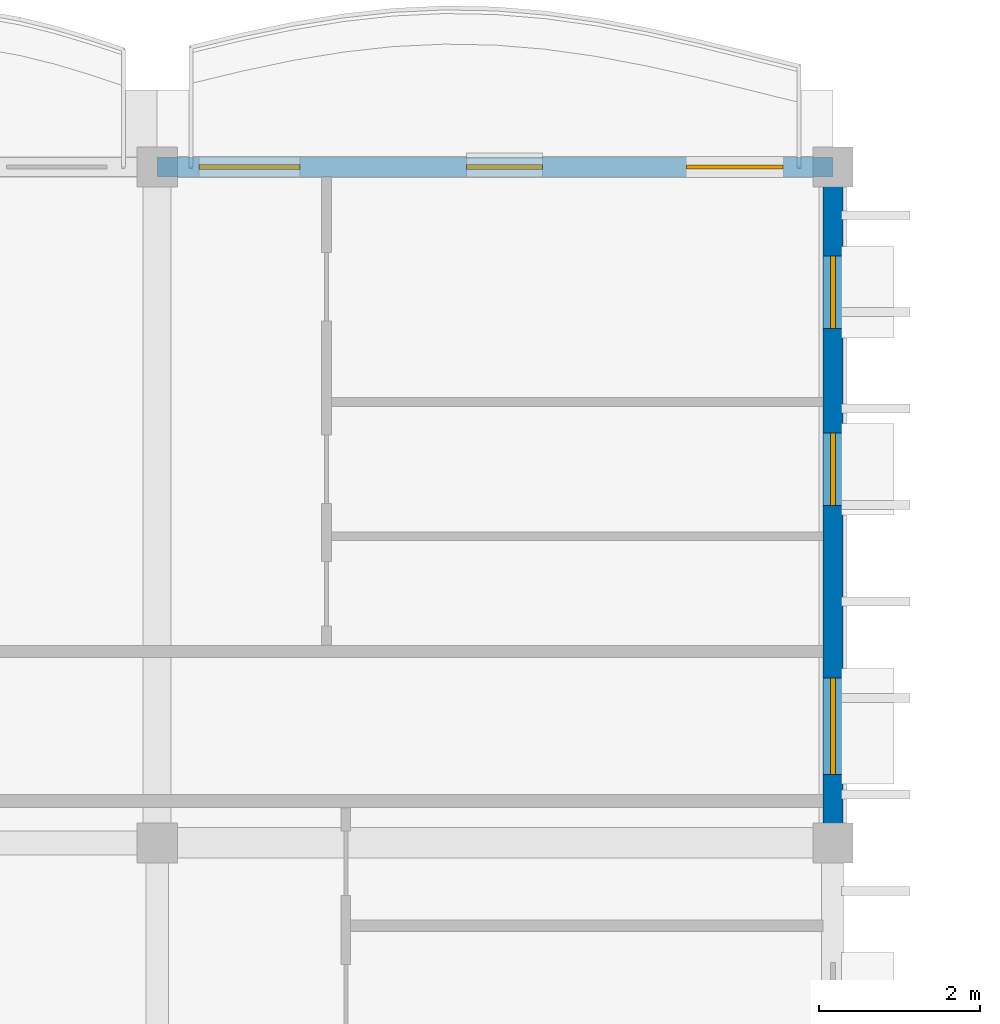
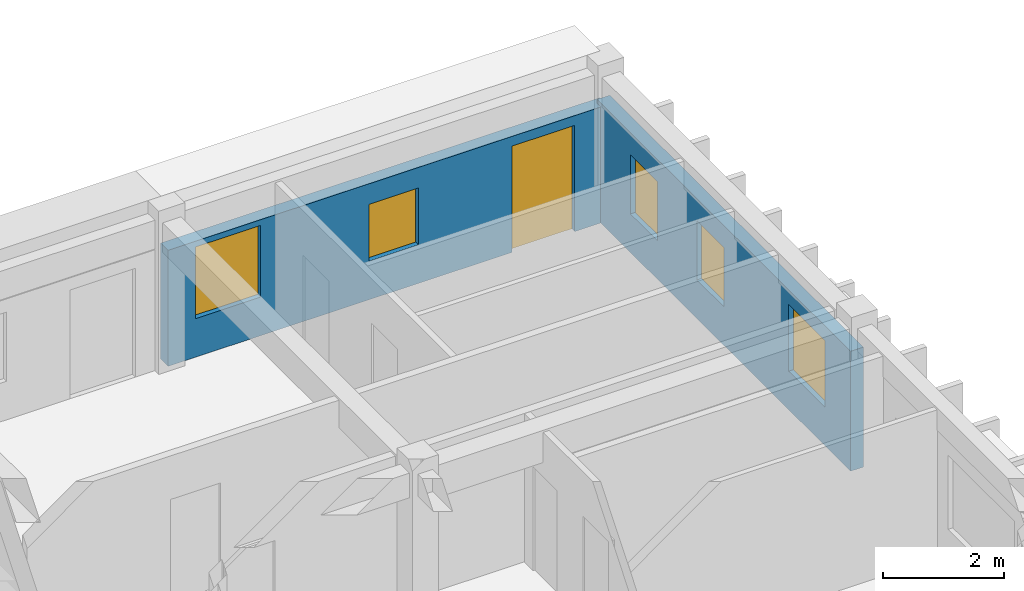
# One storey, part 10 of 28: 5 windows, 2 walls, 1 door, 6 openings.
"""IFC4 building model written with IfcOpenShell, lengths in metres."""

from ifc_helpers import new_model, si_unit, direction, frame, frame_2d, origin, place, context, subcontext, project, spatial, rectangle, extrude, material, layer, layer_set, type_object, element, fill, save


model = new_model("IFC4")

# Units and contexts
model_context = context("Model", 3, precision=1e-05, world=origin(), true_north=direction((0.0, 1.0)))
body_context = subcontext(model_context, "Body", "Model", "MODEL_VIEW")
ifc_project = project(units=[si_unit("LENGTHUNIT", "METRE"), si_unit("AREAUNIT", "SQUARE_METRE"), si_unit("VOLUMEUNIT", "CUBIC_METRE"), si_unit("PLANEANGLEUNIT", "RADIAN"), si_unit("MASSUNIT", "GRAM", prefix="KILO"), si_unit("THERMODYNAMICTEMPERATUREUNIT", "KELVIN")], contexts=[model_context])

# Site, building, storey
site_placement = place(None, origin())
site = spatial("IfcSite", under=ifc_project, at=site_placement, CompositionType="ELEMENT")
building_placement = place(site_placement, origin())
building = spatial("IfcBuilding", under=site, at=building_placement, Name="Thalorik Housing Commons", CompositionType="ELEMENT")
storey_placement = place(building_placement, frame((0.0, 0.0, 41.10009765625)))
storey = spatial("IfcBuildingStorey", under=building, at=storey_placement, Name="L12", CompositionType="ELEMENT", Elevation=41.10009765625)

# Wall, openings, windows
ifc_material_1 = material(Name="White precast concrete C40/50", Category="concrete")
ifc_layer = layer(ifc_material_1, 0.2451171875, Name="White precast concrete C40/50", Category="concrete")
ifc_layer_set = layer_set([ifc_layer], Name="White precast concrete C40/50")
wall_type = type_object("IfcWallType", Name="ARC-WAL-EXT-245", PredefinedType="STANDARD", material=ifc_layer_set)
wall_1_placement = place(storey_placement, frame((37.199951171875, 115.199951171875, 0.0), z_axis=(0.0, 0.0, 1.0), x_axis=(0.0, 1.0, 0.0)))
wall_1 = element("IfcWall", 1, at=wall_1_placement, inside=storey, type_object=wall_type, Name="L12 Exterior Wall WAL-EXT-L12-A-0300", PredefinedType="STANDARD", context=body_context, shape_type="SweptSolid", body=[
    extrude(rectangle(XDim=8.400146484375, YDim=0.2451171875, at=frame_2d((4.2001953125, 0.0))), origin(), (0.0, 0.0, 1.0), 2.4248046875),
])
opening_1_placement = place(wall_1_placement, frame((0.85009765625, 0.0, 0.780029296875)))
opening_1 = element("IfcOpeningElement", 2, at=opening_1_placement, cuts=wall_1, Name="Opening W-04", PredefinedType="OPENING", context=body_context, shape_type="SweptSolid", body=[
    extrude(rectangle(XDim=1.199951171875, YDim=1.35009765625, at=frame_2d((0.60009765625, 0.675048828125))), frame((0.0, 0.132568359375, 0.0), z_axis=(0.0, -1.0, 0.0), x_axis=(1.0, 0.0, 0.0)), (0.0, 0.0, 1.0), 0.26513671875),
])
opening_2_placement = place(wall_1_placement, frame((4.19482421875, 0.0, 0.780029296875)))
opening_2 = element("IfcOpeningElement", 3, at=opening_2_placement, cuts=wall_1, Name="Opening W-01", PredefinedType="OPENING", context=body_context, shape_type="SweptSolid", body=[
    extrude(rectangle(XDim=0.89990234375, YDim=1.199951171875, at=frame_2d((0.449951171875, 0.60009765625))), frame((0.0, 0.132568359375, 0.0), z_axis=(0.0, -1.0, 0.0), x_axis=(1.0, 0.0, 0.0)), (0.0, 0.0, 1.0), 0.26513671875),
])
opening_3_placement = place(wall_1_placement, frame((6.39453125, 0.0, 0.780029296875)))
opening_3 = element("IfcOpeningElement", 4, at=opening_3_placement, cuts=wall_1, Name="Opening W-01", PredefinedType="OPENING", context=body_context, shape_type="SweptSolid", body=[
    extrude(rectangle(XDim=0.89990234375, YDim=1.199951171875, at=frame_2d((0.449951171875, 0.60009765625))), frame((0.0, 0.132568359375, 0.0), z_axis=(0.0, -1.0, 0.0), x_axis=(1.0, 0.0, 0.0)), (0.0, 0.0, 1.0), 0.26513671875),
])
ifc_material_2 = material(Name="Anodised aluminium and solar-control low-E glass", Category="aluminium")
window_type_1 = type_object("IfcWindowType", Name="ARC-WIN-01", PartitioningType="SINGLE_PANEL", PredefinedType="WINDOW", material=ifc_material_2)
window_1_placement = place(opening_2_placement, origin())
window_1 = element("IfcWindow", 5, at=window_1_placement, inside=storey, type_object=window_type_1, Name="L12 Facade Window 540", OverallHeight=1.199951171875, OverallWidth=0.89990234375, PartitioningType="SINGLE_PANEL", PredefinedType="WINDOW", context=body_context, shape_type="SweptSolid", body=[
    extrude(rectangle(XDim=0.89990234375, YDim=1.199951171875, at=frame_2d((0.449951171875, 0.60009765625))), frame((0.0, 0.030029296875, 0.0), z_axis=(0.0, -1.0, 0.0), x_axis=(1.0, 0.0, 0.0)), (0.0, 0.0, 1.0), 0.06005859375),
])
fill(opening_2, window_1)
window_2_placement = place(opening_3_placement, origin())
window_2 = element("IfcWindow", 6, at=window_2_placement, inside=storey, type_object=window_type_1, Name="L12 Facade Window 541", OverallHeight=1.199951171875, OverallWidth=0.89990234375, PartitioningType="SINGLE_PANEL", PredefinedType="WINDOW", context=body_context, shape_type="SweptSolid", body=[
    extrude(rectangle(XDim=0.89990234375, YDim=1.199951171875, at=frame_2d((0.449951171875, 0.60009765625))), frame((0.0, 0.030029296875, 0.0), z_axis=(0.0, -1.0, 0.0), x_axis=(1.0, 0.0, 0.0)), (0.0, 0.0, 1.0), 0.06005859375),
])
fill(opening_3, window_2)
window_type_2 = type_object("IfcWindowType", Name="ARC-WIN-04", PartitioningType="SINGLE_PANEL", PredefinedType="WINDOW", material=ifc_material_2)
window_3_placement = place(opening_1_placement, origin())
window_3 = element("IfcWindow", 7, at=window_3_placement, inside=storey, type_object=window_type_2, Name="L12 Facade Window 539", OverallHeight=1.35009765625, OverallWidth=1.199951171875, PartitioningType="SINGLE_PANEL", PredefinedType="WINDOW", context=body_context, shape_type="SweptSolid", body=[
    extrude(rectangle(XDim=1.199951171875, YDim=1.35009765625, at=frame_2d((0.60009765625, 0.675048828125))), frame((0.0, 0.030029296875, 0.0), z_axis=(0.0, -1.0, 0.0), x_axis=(1.0, 0.0, 0.0)), (0.0, 0.0, 1.0), 0.06005859375),
])
fill(opening_1, window_3)

# Wall, openings, door, windows
wall_2_placement = place(storey_placement, frame((37.199951171875, 123.60009765625, 0.0), z_axis=(0.0, 0.0, 1.0), x_axis=(-1.0, 0.0, 0.0)))
wall_2 = element("IfcWall", 8, at=wall_2_placement, inside=storey, type_object=wall_type, Name="L12 Exterior Wall WAL-EXT-L12-A-0301", PredefinedType="STANDARD", context=body_context, shape_type="SweptSolid", body=[
    extrude(rectangle(XDim=8.39990234375, YDim=0.2451171875, at=frame_2d((4.199951171875, 0.0))), origin(), (0.0, 0.0, 1.0), 2.344970703125),
])
opening_4_placement = place(wall_2_placement, frame((0.6201171875, 0.0, 0.0)))
opening_4 = element("IfcOpeningElement", 9, at=opening_4_placement, cuts=wall_2, Name="Opening ED-0096", PredefinedType="OPENING", context=body_context, shape_type="SweptSolid", body=[
    extrude(rectangle(XDim=1.199951171875, YDim=2.14990234375, at=frame_2d((0.60009765625, 1.074951171875))), frame((0.0, 0.132568359375, 0.0), z_axis=(0.0, -1.0, 0.0), x_axis=(1.0, 0.0, 0.0)), (0.0, 0.0, 1.0), 0.26513671875),
])
opening_5_placement = place(wall_2_placement, frame((3.607421875, 0.0, 0.780029296875)))
opening_5 = element("IfcOpeningElement", 10, at=opening_5_placement, cuts=wall_2, Name="Opening W-43", PredefinedType="OPENING", context=body_context, shape_type="SweptSolid", body=[
    extrude(rectangle(XDim=0.949951171875, YDim=1.14990234375, at=frame_2d((0.47509765625, 0.574951171875))), frame((0.0, 0.132568359375, 0.0), z_axis=(0.0, -1.0, 0.0), x_axis=(1.0, 0.0, 0.0)), (0.0, 0.0, 1.0), 0.26513671875),
])
opening_6_placement = place(wall_2_placement, frame((6.62744140625, 0.0, 0.780029296875)))
opening_6 = element("IfcOpeningElement", 11, at=opening_6_placement, cuts=wall_2, Name="Opening W-47", PredefinedType="OPENING", context=body_context, shape_type="SweptSolid", body=[
    extrude(rectangle(XDim=1.25, YDim=1.449951171875, at=frame_2d((0.625, 0.72509765625))), frame((0.0, 0.132568359375, 0.0), z_axis=(0.0, -1.0, 0.0), x_axis=(1.0, 0.0, 0.0)), (0.0, 0.0, 1.0), 0.26513671875),
])
ifc_material_3 = material(Name="Anodised aluminium and laminated safety glass", Category="aluminium")
door_type = type_object("IfcDoorType", Name="ARC-DR-BAL-1200", OperationType="NOTDEFINED", PredefinedType="DOOR", material=ifc_material_3)
door_placement = place(opening_4_placement, frame((1.199951171875, 0.0, 0.0), z_axis=(0.0, 0.0, 1.0), x_axis=(-1.0, 0.0, 0.0)))
door = element("IfcDoor", 12, at=door_placement, inside=storey, type_object=door_type, Name="L12 Block A Balcony Glazed Door", OperationType="SINGLE_SWING_LEFT", OverallHeight=2.14990234375, OverallWidth=1.199951171875, PredefinedType="DOOR", context=body_context, shape_type="SweptSolid", body=[
    extrude(rectangle(XDim=1.199951171875, YDim=2.14990234375, at=frame_2d((0.60009765625, 1.074951171875))), frame((0.0, 0.02490234375, 0.0), z_axis=(0.0, -1.0, 0.0), x_axis=(1.0, 0.0, 0.0)), (0.0, 0.0, 1.0), 0.050048828125),
])
fill(opening_4, door)
window_type_3 = type_object("IfcWindowType", Name="ARC-WIN-43", PartitioningType="SINGLE_PANEL", PredefinedType="WINDOW", material=ifc_material_2)
window_4_placement = place(opening_5_placement, origin())
window_4 = element("IfcWindow", 13, at=window_4_placement, inside=storey, type_object=window_type_3, Name="L12 Facade Window 542", OverallHeight=1.14990234375, OverallWidth=0.949951171875, PartitioningType="SINGLE_PANEL", PredefinedType="WINDOW", context=body_context, shape_type="SweptSolid", body=[
    extrude(rectangle(XDim=0.949951171875, YDim=1.14990234375, at=frame_2d((0.47509765625, 0.574951171875))), frame((0.0, 0.030029296875, 0.0), z_axis=(0.0, -1.0, 0.0), x_axis=(1.0, 0.0, 0.0)), (0.0, 0.0, 1.0), 0.06005859375),
])
fill(opening_5, window_4)
window_type_4 = type_object("IfcWindowType", Name="ARC-WIN-47", PartitioningType="SINGLE_PANEL", PredefinedType="WINDOW", material=ifc_material_2)
window_5_placement = place(opening_6_placement, origin())
window_5 = element("IfcWindow", 14, at=window_5_placement, inside=storey, type_object=window_type_4, Name="L12 Facade Window 543", OverallHeight=1.449951171875, OverallWidth=1.25, PartitioningType="SINGLE_PANEL", PredefinedType="WINDOW", context=body_context, shape_type="SweptSolid", body=[
    extrude(rectangle(XDim=1.25, YDim=1.449951171875, at=frame_2d((0.625, 0.72509765625))), frame((0.0, 0.030029296875, 0.0), z_axis=(0.0, -1.0, 0.0), x_axis=(1.0, 0.0, 0.0)), (0.0, 0.0, 1.0), 0.06005859375),
])
fill(opening_6, window_5)

save(model, "model.ifc")
